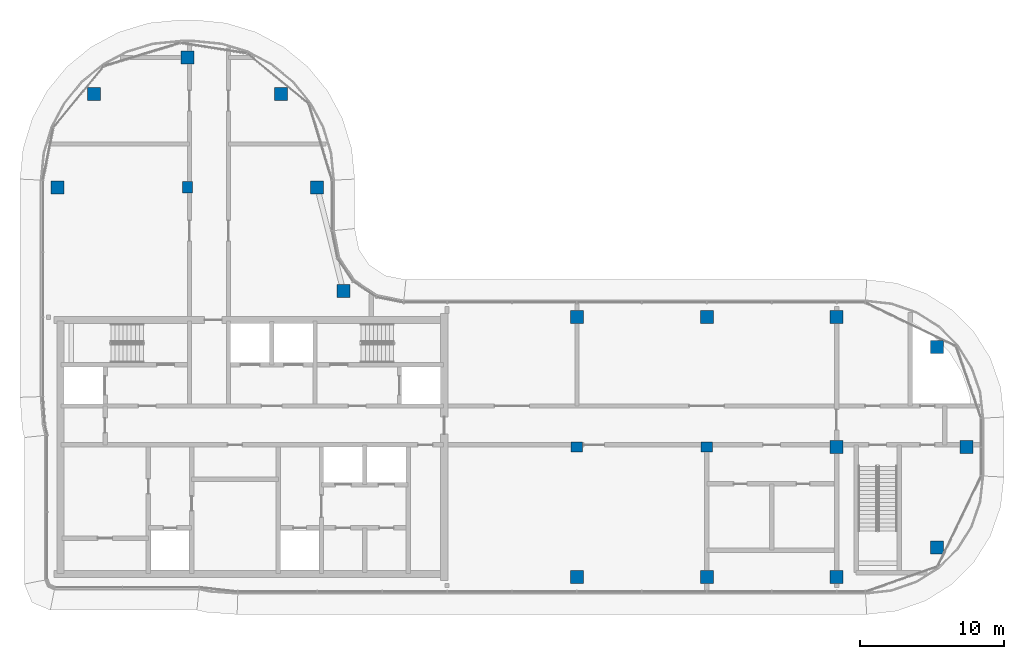
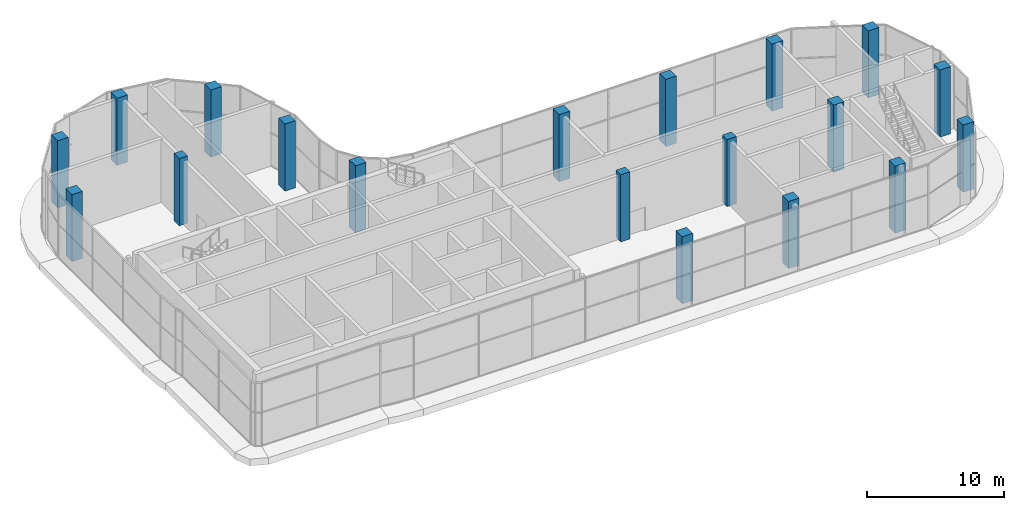
# One storey, part 1 of 23: 19 columns.
"""IFC4 building model written with IfcOpenShell, lengths in metres."""

import ifcopenshell
import ifcopenshell.guid

model = None  # the IFC model being written
_history = None  # IfcOwnerHistory: only IFC2X3 demands one
_inside = {}  # id of a spatial element -> (the spatial element, [elements in it])
_under = {}  # id of a project, library or spatial element -> (it, [spatial elements below it])
_declared = {}  # id of a project -> (the project, [libraries it declares])
_typed = {}  # id of a type object -> (the type object, [elements of that type])
_made_of = {}  # id of a material, layer set ... -> (it, [elements and type objects made of it])


def new_model(schema):
    """Start an empty IFC model of exactly this schema.

    Asked for "IFC4X3", IfcOpenShell would pick the latest addendum, in which some entities
    have other attributes; the version numbers below select the first issue.
    IFC2X3 requires an IfcOwnerHistory on every rooted entity: one is made here for all.
    """
    global model, _history
    if schema == "IFC4X3":
        model = ifcopenshell.file(schema_version=(4, 3, 0, 0))
    else:
        model = ifcopenshell.file(schema=schema)
    _inside.clear()
    _under.clear()
    _declared.clear()
    _typed.clear()
    _made_of.clear()
    _history = None
    if model.schema == "IFC2X3":
        org = make("IfcOrganization", Name="unknown")
        user = make(
            "IfcPersonAndOrganization",
            ThePerson=make("IfcPerson", FamilyName="unknown"),
            TheOrganization=org,
        )
        app = make(
            "IfcApplication",
            ApplicationDeveloper=org,
            Version="unknown",
            ApplicationFullName="unknown",
            ApplicationIdentifier="unknown",
        )
        _history = make(
            "IfcOwnerHistory",
            OwningUser=user,
            OwningApplication=app,
            ChangeAction="ADDED",
            CreationDate=0,
        )
    return model


def make(cls, **values):
    """One entity of the class cls with the attributes given. An attribute that is None is left unset."""
    return model.create_entity(
        cls, **{name: value for name, value in values.items() if value is not None}
    )


def rooted(cls, **values):
    """An entity with a GlobalId (a new one), such as an element, a storey or a relation."""
    return make(cls, GlobalId=ifcopenshell.guid.new(), OwnerHistory=_history, **values)


def si_unit(unit_type, name, prefix=None):
    """IfcSIUnit, for example si_unit("LENGTHUNIT", "METRE", prefix="MILLI")."""
    return make("IfcSIUnit", UnitType=unit_type, Prefix=prefix, Name=name)


def assignment(units):
    """IfcUnitAssignment: the units of a project."""
    return None if units is None else make("IfcUnitAssignment", Units=units)


def point(xyz):
    """IfcCartesianPoint."""
    return None if xyz is None else make("IfcCartesianPoint", Coordinates=xyz)


def direction(xyz):
    """IfcDirection."""
    return None if xyz is None else make("IfcDirection", DirectionRatios=xyz)


def frame(location, z_axis=None, x_axis=None):
    """IfcAxis2Placement3D, a coordinate frame: its origin and axes. An axis left out is left unset."""
    return make(
        "IfcAxis2Placement3D",
        Location=point(location),
        Axis=direction(z_axis),
        RefDirection=direction(x_axis),
    )


def frame_2d(location, x_axis=None):
    """IfcAxis2Placement2D, a coordinate frame in the plane: its origin and x axis."""
    return make(
        "IfcAxis2Placement2D", Location=point(location), RefDirection=direction(x_axis)
    )


def origin():
    """The frame at (0, 0, 0) with its axes left unset."""
    return frame((0.0, 0.0, 0.0))


def origin_2d():
    """The frame at (0, 0) in the plane with its x axis left unset."""
    return frame_2d((0.0, 0.0))


def place(relative_to, where):
    """IfcLocalPlacement: puts the frame where relative to a parent placement (None: the world)."""
    return make(
        "IfcLocalPlacement", PlacementRelTo=relative_to, RelativePlacement=where
    )


def context(
    kind, dimensions, precision=None, world=None, true_north=None, identifier=None
):
    """IfcGeometricRepresentationContext, for example the 3D "Model" context."""
    return make(
        "IfcGeometricRepresentationContext",
        ContextIdentifier=identifier,
        ContextType=kind,
        CoordinateSpaceDimension=dimensions,
        Precision=precision,
        WorldCoordinateSystem=world,
        TrueNorth=true_north,
    )


def subcontext(parent, identifier, kind, view, scale=None):
    """IfcGeometricRepresentationSubContext, for example "Body" below "Model"."""
    return make(
        "IfcGeometricRepresentationSubContext",
        ContextIdentifier=identifier,
        ContextType=kind,
        ParentContext=parent,
        TargetScale=scale,
        TargetView=view,
    )


def project(units=None, contexts=None):
    """IfcProject with its units and contexts."""
    return rooted(
        "IfcProject",
        Name="project",
        RepresentationContexts=contexts,
        UnitsInContext=assignment(units),
    )


def spatial(cls, under=None, at=None, **own):
    """A site, building, storey or space (cls), placed at a placement, below another one or the project."""
    s = rooted(cls, ObjectPlacement=at, **own)
    if under is not None:
        _under.setdefault(under.id(), (under, []))[1].append(s)
    return s


def profile(cls, at=None, kind="AREA", **sizes):
    """A parametric profile (cls). Its sizes go by their IFC names, for example OverallWidth=200.0."""
    return make(cls, ProfileType=kind, Position=at, **sizes)


def rectangle(**sizes):
    """IfcRectangleProfileDef."""
    return profile("IfcRectangleProfileDef", **sizes)


def extrude(swept, where, along, depth):
    """IfcExtrudedAreaSolid: the profile swept, set in the frame where, extruded along a direction by depth."""
    return make(
        "IfcExtrudedAreaSolid",
        SweptArea=swept,
        Position=where,
        ExtrudedDirection=direction(along),
        Depth=depth,
    )


def shape(context_of_items, identifier, shape_type, items):
    """IfcShapeRepresentation: the items that make up one representation, for example the "Body"."""
    return make(
        "IfcShapeRepresentation",
        ContextOfItems=context_of_items,
        RepresentationIdentifier=identifier,
        RepresentationType=shape_type,
        Items=items,
    )


def material(Name=None, Category=None):
    """IfcMaterial."""
    return make("IfcMaterial", Name=Name, Category=Category)


def material_profile(
    of_material, cross_section, Name=None, Category=None, Priority=None
):
    """IfcMaterialProfile: a cross section and its material."""
    return make(
        "IfcMaterialProfile",
        Name=Name,
        Material=of_material,
        Profile=cross_section,
        Priority=Priority,
        Category=Category,
    )


def profile_set(profiles, Name=None, composite=None):
    """IfcMaterialProfileSet."""
    return make(
        "IfcMaterialProfileSet",
        Name=Name,
        MaterialProfiles=profiles,
        CompositeProfile=composite,
    )


def made_of(thing, what):
    """Note that an element or type object is made of a material, layer set ...; save() writes the relation."""
    if what is not None:
        _made_of.setdefault(what.id(), (what, []))[1].append(thing)
    return thing


def type_object(cls, material=None, **own):
    """A type object (cls), such as IfcWallType, which elements share."""
    return made_of(rooted(cls, **own), material)


def element(
    cls,
    number,
    at=None,
    inside=None,
    cuts=None,
    type_object=None,
    material=None,
    context=None,
    identifier="Body",
    shape_type=None,
    held_by="IfcProductDefinitionShape",
    body=None,
    shapes=None,
    **own,
):
    """One element of the class cls, such as IfcWall. Its Tag is "e" and its number.

    at: its placement. inside: the storey or other place that contains it. cuts: it is an
    opening in that element (IfcRelVoidsElement). A single representation is given by context,
    identifier, shape_type and body (its items); several are given by shapes. held_by: the class
    of the entity that holds the representations. save() writes the other relations.
    """
    e = rooted(cls, Tag="e%d" % number, ObjectPlacement=at, **own)
    if body is not None:
        shapes = [shape(context, identifier, shape_type, body)]
    if shapes is not None:
        e.Representation = make(held_by, Representations=shapes)
    if inside is not None:
        _inside.setdefault(inside.id(), (inside, []))[1].append(e)
    if cuts is not None:
        rooted(
            "IfcRelVoidsElement", RelatingBuildingElement=cuts, RelatedOpeningElement=e
        )
    if type_object is not None:
        _typed.setdefault(type_object.id(), (type_object, []))[1].append(e)
    return made_of(e, material)


def aggregate(whole, parts):
    """IfcRelAggregates: a whole, such as a stair, and the parts it consists of."""
    return rooted("IfcRelAggregates", RelatingObject=whole, RelatedObjects=parts)


def save(model, path):
    """Write the relations noted so far, then the file.

    IfcRelAggregates (storeys below a building ...), IfcRelContainedInSpatialStructure (elements
    in a storey), IfcRelDefinesByType, IfcRelAssociatesMaterial and IfcRelDeclares: one each for
    every whole, place, type object, material and project.
    """
    for whole, parts in _under.values():
        aggregate(whole, parts)
    for where, things in _inside.values():
        rooted(
            "IfcRelContainedInSpatialStructure",
            RelatedElements=things,
            RelatingStructure=where,
        )
    for kind, things in _typed.values():
        rooted("IfcRelDefinesByType", RelatedObjects=things, RelatingType=kind)
    for what, things in _made_of.values():
        rooted("IfcRelAssociatesMaterial", RelatedObjects=things, RelatingMaterial=what)
    for by, libraries in _declared.values():
        rooted("IfcRelDeclares", RelatingContext=by, RelatedDefinitions=libraries)
    model.write(path)


model = new_model("IFC4")

# Units and contexts
model_context = context("Model", 3, precision=1e-05, world=origin(), true_north=direction((0.0, 1.0)))
body_context = subcontext(model_context, "Body", "Model", "MODEL_VIEW")
ifc_project = project(units=[si_unit("LENGTHUNIT", "METRE"), si_unit("AREAUNIT", "SQUARE_METRE"), si_unit("VOLUMEUNIT", "CUBIC_METRE"), si_unit("PLANEANGLEUNIT", "RADIAN"), si_unit("MASSUNIT", "GRAM", prefix="KILO")], contexts=[model_context])

# Site, building, storey
site_placement = place(None, origin())
site = spatial("IfcSite", under=ifc_project, at=site_placement, CompositionType="ELEMENT")
building_placement = place(site_placement, origin())
building = spatial("IfcBuilding", under=site, at=building_placement, Name="Ogive Portal Towers", CompositionType="ELEMENT")
storey_placement = place(building_placement, frame((0.0, 0.0, 260.89990234375)))
storey = spatial("IfcBuildingStorey", under=building, at=storey_placement, Name="L64", CompositionType="ELEMENT", Elevation=260.89990234375)

# Columns
ifc_material = material(Name="Concrete C60/75", Category="concrete")
ifc_material_profile_1 = material_profile(ifc_material, rectangle(XDim=0.800048828125, YDim=0.699951171875, at=origin_2d()), Name="RC 800x700")
ifc_profile_set_1 = profile_set([ifc_material_profile_1], Name="Concrete C60/75")
column_type_1 = type_object("IfcColumnType", Name="COLUMN RC 800x700", PredefinedType="COLUMN", material=ifc_profile_set_1)
for number, where, z_axis, x_axis, name in (
    (1, (67.5, 30.5, 0.0), (0.0, 0.0, 1.0), (1.0, 0.0, 0.0), "Column 5/B L64"),
    (2, (76.5, 30.5, 0.0), (0.0, 0.0, 1.0), (1.0, 0.0, 0.0), "Column 6/B L64"),
    (3, (40.5, 48.5, 0.0), (0.0, 0.0, 1.0), (0.0, 1.0, 0.0), "Column 2/D L64"),
):
    element("IfcColumn", number, at=place(storey_placement, frame(where, z_axis=z_axis, x_axis=x_axis)), inside=storey, type_object=column_type_1, Name=name, PredefinedType="COLUMN", context=body_context, shape_type="SweptSolid", body=[
        extrude(rectangle(XDim=0.800048828125, YDim=0.699951171875, at=origin_2d()), origin(), (0.0, 0.0, 1.0), 6.0),
    ])
ifc_material_profile_2 = material_profile(ifc_material, rectangle(XDim=0.89990234375, YDim=0.89990234375, at=origin_2d()), Name="RC 900x900")
ifc_profile_set_2 = profile_set([ifc_material_profile_2], Name="Concrete C60/75")
column_type_2 = type_object("IfcColumnType", Name="COLUMN RC 900x900", PredefinedType="COLUMN", material=ifc_profile_set_2)
for number, where, z_axis, x_axis, name in (
    (4, (67.5, 21.5, 0.0), (0.0, 0.0, 1.0), (1.0, 0.0, 0.0), "Column 5/A L64"),
    (5, (76.5, 21.5, 0.0), (0.0, 0.0, 1.0), (1.0, 0.0, 0.0), "Column 6/A L64"),
    (6, (85.5, 21.5, 0.0), (0.0, 0.0, 1.0), (1.0, 0.0, 0.0), "Column 7/A L64"),
    (7, (92.449951171875, 23.550048828125, 0.0), (0.0, 0.0, 1.0), (1.0, 0.0, 0.0), "Column L64"),
    (8, (85.5, 30.5, 0.0), (0.0, 0.0, 1.0), (1.0, 0.0, 0.0), "Column 7/B L64"),
    (9, (94.5, 30.5, 0.0), (0.0, 0.0, 1.0), (1.0, 0.0, 0.0), "Column 8/B L64"),
    (10, (92.449951171875, 37.449951171875, 0.0), (0.0, 0.0, 1.0), (1.0, 0.0, 0.0), "Column L64"),
    (11, (67.5, 39.5, 0.0), (0.0, 0.0, 1.0), (1.0, 0.0, 0.0), "Column 5/C L64"),
    (12, (76.5, 39.5, 0.0), (0.0, 0.0, 1.0), (1.0, 0.0, 0.0), "Column 6/C L64"),
    (13, (85.5, 39.5, 0.0), (0.0, 0.0, 1.0), (1.0, 0.0, 0.0), "Column 7/C L64"),
    (14, (51.31005859375, 41.31005859375, 0.0), (0.0, 0.0, 1.0), (1.0, 0.0, 0.0), "Column L64"),
    (15, (31.5, 48.5, 0.0), (0.0, 0.0, 1.0), (1.0, 0.0, 0.0), "Column 1/D L64"),
    (16, (49.5, 48.5, 0.0), (0.0, 0.0, 1.0), (1.0, 0.0, 0.0), "Column 3/D L64"),
    (17, (34.027099609375, 54.972900390625, 0.0), (0.0, 0.0, 1.0), (1.0, 0.0, 0.0), "Column L64"),
    (18, (46.972900390625, 54.972900390625, 0.0), (0.0, 0.0, 1.0), (1.0, 0.0, 0.0), "Column L64"),
    (19, (40.5, 57.5, 0.0), (0.0, 0.0, 1.0), (1.0, 0.0, 0.0), "Column 2/E L64"),
):
    element("IfcColumn", number, at=place(storey_placement, frame(where, z_axis=z_axis, x_axis=x_axis)), inside=storey, type_object=column_type_2, Name=name, PredefinedType="COLUMN", context=body_context, shape_type="SweptSolid", body=[
        extrude(rectangle(XDim=0.89990234375, YDim=0.89990234375, at=origin_2d()), origin(), (0.0, 0.0, 1.0), 6.0),
    ])

save(model, "model.ifc")
